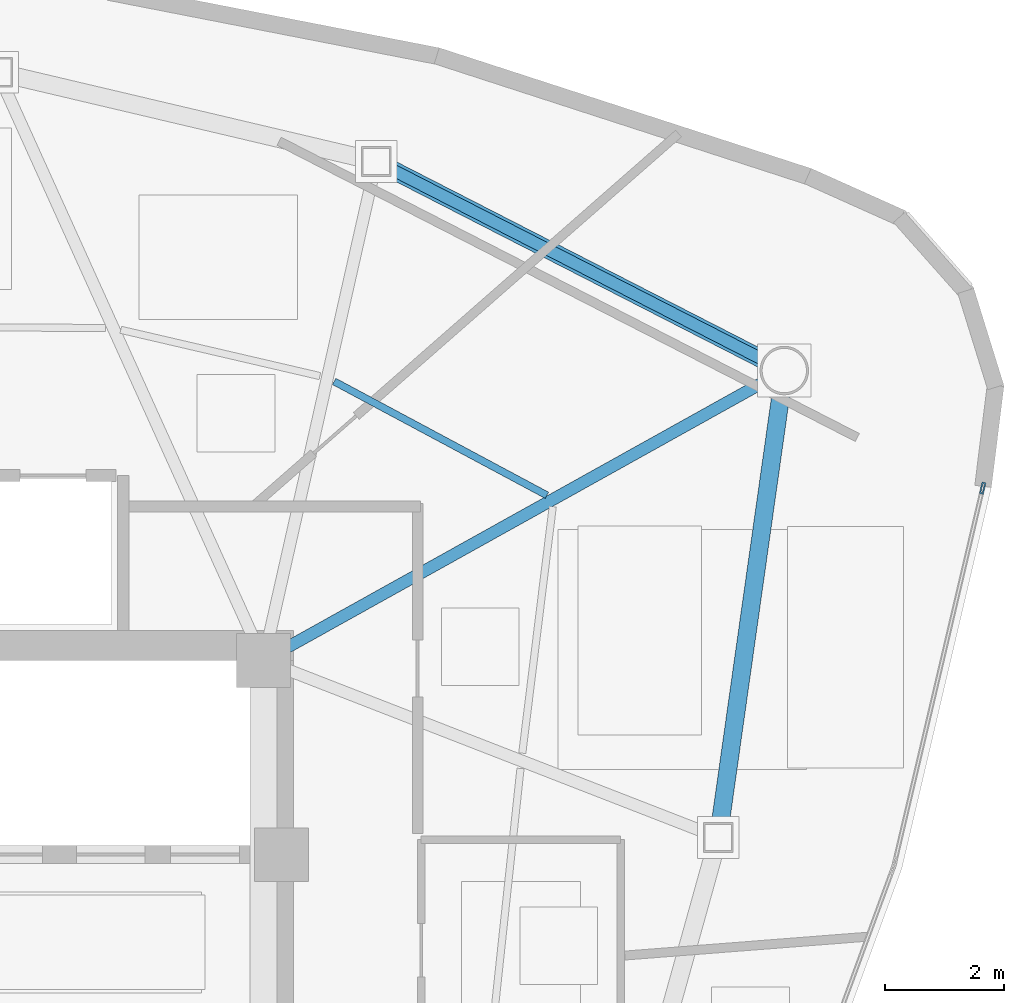
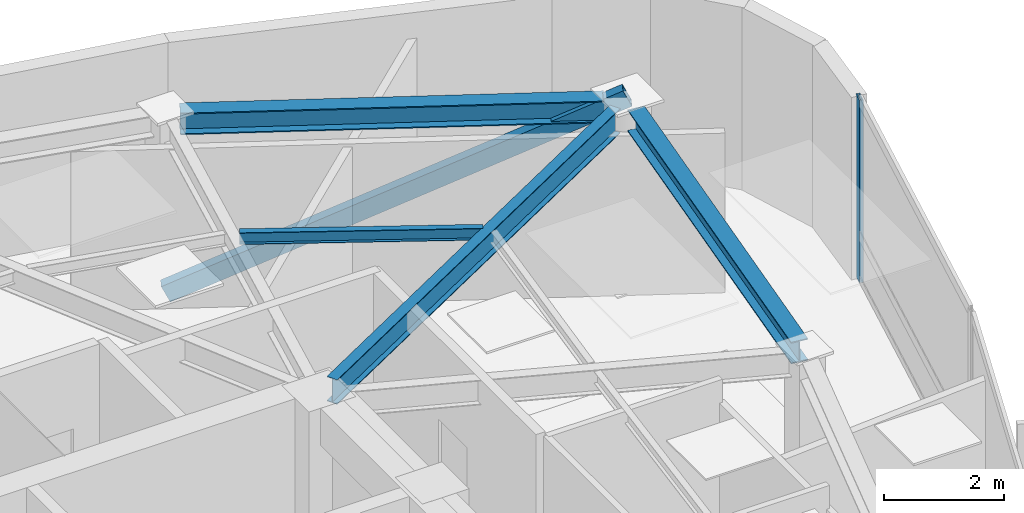
# One storey, part 6 of 12: 4 beams, 2 members, 1 element without a shape of its own.
"""IFC4 building model written with IfcOpenShell, lengths in metres."""

from ifc_helpers import new_model, si_unit, direction, frame, origin, origin_2d, place, context, subcontext, project, spatial, hollow_rectangle, i_section, extrude, source, transform, mapped, material, layer, layer_set, material_profile, profile_set, type_object, type_shapes, element, aggregate, save


model = new_model("IFC4")

# Units and contexts
model_context = context("Model", 3, precision=1e-05, world=origin(), true_north=direction((0.0, 1.0)))
body_context = subcontext(model_context, "Body", "Model", "MODEL_VIEW")
ifc_project = project(units=[si_unit("LENGTHUNIT", "METRE"), si_unit("AREAUNIT", "SQUARE_METRE"), si_unit("VOLUMEUNIT", "CUBIC_METRE"), si_unit("PLANEANGLEUNIT", "RADIAN"), si_unit("MASSUNIT", "GRAM", prefix="KILO")], contexts=[model_context])

# Site, building, storey
site_placement = place(None, origin())
site = spatial("IfcSite", under=ifc_project, at=site_placement, CompositionType="ELEMENT")
building_placement = place(site_placement, origin())
building = spatial("IfcBuilding", under=site, at=building_placement, Name="Tavelor Broadcast Tower", CompositionType="ELEMENT")
storey_placement = place(building_placement, frame((0.0, 0.0, 293.5)))
storey = spatial("IfcBuildingStorey", under=building, at=storey_placement, Name="L70", CompositionType="ELEMENT", Elevation=293.5)

# Beams
ifc_material_1 = material(Name="Steel S355", Category="steel")
ifc_material_profile_1 = material_profile(ifc_material_1, i_section(OverallWidth=0.1201171875, OverallDepth=0.239990234375, WebThickness=0.006103515625, FlangeThickness=0.009765625, at=origin_2d()), Name="IPE 240")
ifc_profile_set_1 = profile_set([ifc_material_profile_1], Name="Steel S355")
beam_type_1 = type_object("IfcBeamType", Name="Composite Floor Joist T7 IPE 240", PredefinedType="JOIST", material=ifc_profile_set_1)
beam_1_placement = place(storey_placement, frame((61.344482421875, 53.96630859375, 3.580078125), z_axis=(-0.881609274303, 0.471979965108, 0.0), x_axis=(-0.471979965108, -0.881609274303, 0.0)))
element("IfcBeam", 1, at=beam_1_placement, inside=storey, type_object=beam_type_1, Name="L70 Secondary Composite Floor Joist 13", PredefinedType="JOIST", context=body_context, shape_type="SweptSolid", body=[
    extrude(i_section(OverallWidth=0.1201171875, OverallDepth=0.239990234375, WebThickness=0.006103515625, FlangeThickness=0.009765625, at=origin_2d()), origin(), (0.0, 0.0, 1.0), 4.041015625),
])
ifc_material_profile_2 = material_profile(ifc_material_1, i_section(OverallWidth=0.300048828125, OverallDepth=0.43994140625, WebThickness=0.011474609375, FlangeThickness=0.02099609375, at=origin_2d()), Name="HEA 450")
ifc_profile_set_2 = profile_set([ifc_material_profile_2], Name="Steel S355")
beam_type_2 = type_object("IfcBeamType", Name="Perimeter Spandrel Beam T7 HEA 450", PredefinedType="SPANDREL", material=ifc_profile_set_2)
beam_2_placement = place(storey_placement, frame((64.248046875, 48.47509765625, 3.47998046875), z_axis=(0.139953453654, 0.990158083747, 0.0), x_axis=(-0.990158083747, 0.139953453654, 0.0)))
element("IfcBeam", 2, at=beam_2_placement, inside=storey, type_object=beam_type_2, Name="L70 Framed-Tube Ring Spandrel 12", PredefinedType="SPANDREL", context=body_context, shape_type="SweptSolid", body=[
    extrude(i_section(OverallWidth=0.300048828125, OverallDepth=0.43994140625, WebThickness=0.011474609375, FlangeThickness=0.02099609375, at=origin_2d()), origin(), (0.0, 0.0, 1.0), 7.265625),
])
beam_3_placement = place(storey_placement, frame((64.97216796875, 56.2333984375, 3.47998046875), z_axis=(-0.889963826526, 0.456031125556, 0.0), x_axis=(-0.456031125556, -0.889963826526, 0.0)))
element("IfcBeam", 3, at=beam_3_placement, inside=storey, type_object=beam_type_2, Name="L70 Framed-Tube Ring Spandrel 13", PredefinedType="SPANDREL", context=body_context, shape_type="SweptSolid", body=[
    extrude(i_section(OverallWidth=0.300048828125, OverallDepth=0.43994140625, WebThickness=0.011474609375, FlangeThickness=0.02099609375, at=origin_2d()), origin(), (0.0, 0.0, 1.0), 7.048583984375),
])

# Member
ifc_material_profile_3 = material_profile(ifc_material_1, hollow_rectangle(XDim=0.199951171875, YDim=0.35009765625, WallThickness=0.01611328125, at=origin_2d()), Name="RHS 350x200x16")
ifc_profile_set_3 = profile_set([ifc_material_profile_3], Name="Steel S355")
member_type_1 = type_object("IfcMemberType", Name="Perimeter Tube Brace T7 RHS 350x200x16", PredefinedType="BRACE", material=ifc_profile_set_3)
member_1_placement = place(storey_placement, frame((58.485595703125, 59.55712890625, 0.0), z_axis=(0.801763897696, -0.410792291396, 0.434078732123), x_axis=(0.455992584505, 0.889983574498, 0.0)))
element("IfcMember", 4, at=member_1_placement, inside=storey, type_object=member_type_1, Name="L70 Corner Tube Diagonal Brace 3", PredefinedType="BRACE", context=body_context, shape_type="SweptSolid", body=[
    extrude(hollow_rectangle(XDim=0.199951171875, YDim=0.35009765625, WallThickness=0.01611328125, at=origin_2d()), origin(), (0.0, 0.0, 1.0), 8.523681640625),
])

# Beam
ifc_material_profile_4 = material_profile(ifc_material_1, i_section(OverallWidth=0.199951171875, OverallDepth=0.5, WebThickness=0.01025390625, FlangeThickness=0.01611328125, at=origin_2d()), Name="IPE 500")
ifc_profile_set_4 = profile_set([ifc_material_profile_4], Name="Steel S355")
beam_type_3 = type_object("IfcBeamType", Name="Radial Floor Girder T7 IPE 500", PredefinedType="BEAM", material=ifc_profile_set_4)
beam_4_placement = place(storey_placement, frame((56.977294921875, 51.41015625, 3.449951171875), z_axis=(0.873672716844, 0.486514114741, 0.0), x_axis=(-0.486514114741, 0.873672716844, 0.0)))
element("IfcBeam", 5, at=beam_4_placement, inside=storey, type_object=beam_type_3, Name="L70 Radial Primary Floor Girder 13", PredefinedType="BEAM", context=body_context, shape_type="SweptSolid", body=[
    extrude(i_section(OverallWidth=0.199951171875, OverallDepth=0.5, WebThickness=0.01025390625, FlangeThickness=0.01611328125, at=origin_2d()), origin(), (0.0, 0.0, 1.0), 9.158203125),
])

# Curtain wall, member
ifc_material_2 = material(Name="Architectural Anodized Aluminium", Category="aluminium")
ifc_layer = layer(ifc_material_2, 0.199951171875)
ifc_layer_set = layer_set([ifc_layer], Name="Architectural Anodized Aluminium")
curtain_wall_type = type_object("IfcCurtainWallType", Name="Tower High-Zone Triple-Glazed Curtain Wall CW04", PredefinedType="NOTDEFINED", material=ifc_layer_set)
curtain_wall_placement = place(storey_placement, origin())
curtain_wall = element("IfcCurtainWall", 6, at=curtain_wall_placement, inside=storey, type_object=curtain_wall_type, Name="L70 Curtain Wall CW04 Run 776", PredefinedType="NOTDEFINED")
ifc_material_profile_5 = material_profile(ifc_material_2, hollow_rectangle(XDim=0.070068359375, YDim=0.199951171875, WallThickness=0.02197265625, at=origin_2d()), Name="RHS 70x200x22")
ifc_profile_set_5 = profile_set([ifc_material_profile_5], Name="Architectural Anodized Aluminium")
member_type_2 = type_object("IfcMemberType", Name="CW04 Extruded Aluminium Mullion 70x200", PredefinedType="MULLION", material=ifc_profile_set_5)
shared_shape = source(origin(), body_context, "Body", "SweptSolid", [
    extrude(hollow_rectangle(XDim=0.070068359375, YDim=0.199951171875, WallThickness=0.02197265625, at=origin_2d()), origin(), (0.0, 0.0, 1.0), 3.699951171875),
])
type_shapes(member_type_2, [shared_shape])
member_2_placement = place(storey_placement, frame((68.641357421875, 54.08642578125, 0.0), z_axis=(0.0, 0.0, 1.0), x_axis=(-0.973484741198, 0.228751958802, 0.0)))
member_2 = element("IfcMember", 7, at=member_2_placement, type_object=member_type_2, Name="CW04 mullion 2", PredefinedType="MULLION", context=body_context, shape_type="MappedRepresentation", body=[
    mapped(shared_shape, transform((0.0, 0.0, 0.0), scale=1.0)),
])
aggregate(curtain_wall, [member_2])

save(model, "model.ifc")
